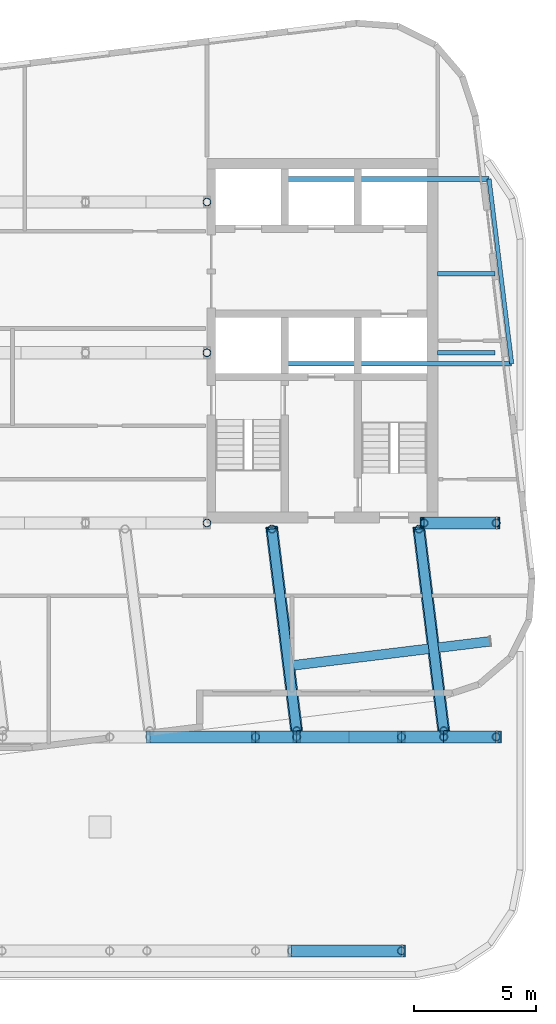
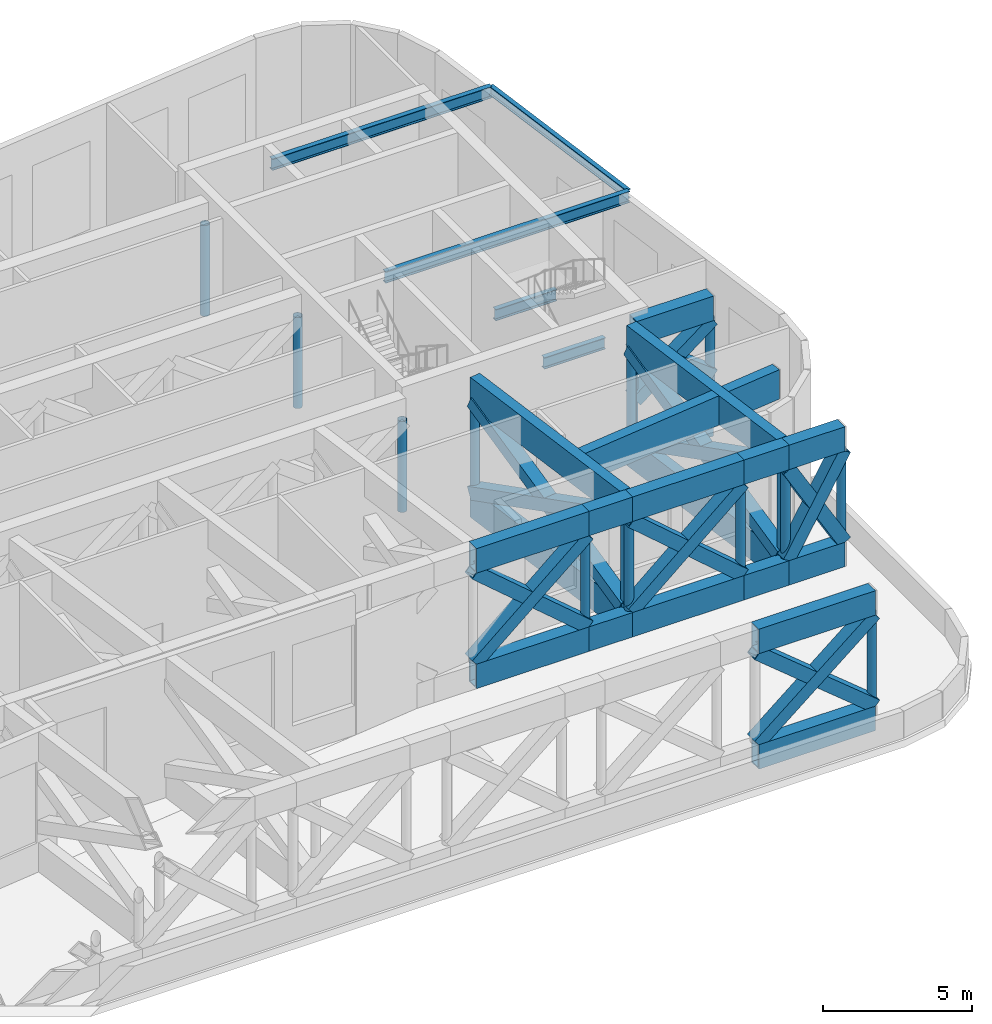
# One storey, part 4 of 16: 29 members, 24 beams.
"""IFC4 building model written with IfcOpenShell, lengths in metres."""

from ifc_helpers import new_model, si_unit, direction, frame, origin, origin_2d, place, context, subcontext, project, spatial, hollow_rectangle, hollow_circle, i_section, extrude, material, material_profile, profile_set, type_object, element, save


model = new_model("IFC4")

# Units and contexts
model_context = context("Model", 3, precision=1e-05, world=origin(), true_north=direction((0.0, 1.0)))
body_context = subcontext(model_context, "Body", "Model", "MODEL_VIEW")
ifc_project = project(units=[si_unit("LENGTHUNIT", "METRE"), si_unit("AREAUNIT", "SQUARE_METRE"), si_unit("VOLUMEUNIT", "CUBIC_METRE"), si_unit("PLANEANGLEUNIT", "RADIAN"), si_unit("MASSUNIT", "GRAM", prefix="KILO")], contexts=[model_context])

# Site, building, storey
site_placement = place(None, origin())
site = spatial("IfcSite", under=ifc_project, at=site_placement, CompositionType="ELEMENT")
building_placement = place(site_placement, origin())
building = spatial("IfcBuilding", under=site, at=building_placement, Name="Torana Hotel and Residences", CompositionType="ELEMENT")
storey_placement = place(building_placement, frame((0.0, 0.0, 308.60009765625)))
storey = spatial("IfcBuildingStorey", under=building, at=storey_placement, Name="L82", CompositionType="ELEMENT", Elevation=308.60009765625)

# Beams
ifc_material_1 = material(Name="Steel S355", Category="steel")
ifc_material_profile_1 = material_profile(ifc_material_1, i_section(OverallWidth=0.19287109375, OverallDepth=0.46728515625, WebThickness=0.011474609375, FlangeThickness=0.01953125, FilletRadius=0.01025390625, at=origin_2d()), Name="457x191x98 UB")
ifc_profile_set_1 = profile_set([ifc_material_profile_1], Name="Steel S355")
beam_type_1 = type_object("IfcBeamType", Name="BALCONY CANTILEVER BEAM 457x191x98 UB", PredefinedType="BEAM", material=ifc_profile_set_1)
for number, where, z_axis, x_axis, name in (
    (1, (19.489990234375, -8.0, -0.53369140625), (1.0, 0.0, 0.0), (0.0, 1.0, 0.0), "Balcony cantilever beam"),
    (2, (19.489990234375, -4.75, -0.53369140625), (1.0, 0.0, 0.0), (0.0, 1.0, 0.0), "Balcony cantilever beam"),
):
    element("IfcBeam", number, at=place(storey_placement, frame(where, z_axis=z_axis, x_axis=x_axis)), inside=storey, type_object=beam_type_1, Name=name, PredefinedType="BEAM", context=body_context, shape_type="SweptSolid", body=[
        extrude(i_section(OverallWidth=0.19287109375, OverallDepth=0.46728515625, WebThickness=0.011474609375, FlangeThickness=0.01953125, FilletRadius=0.01025390625, at=origin_2d()), origin(), (0.0, 0.0, 1.0), 2.364013671875),
    ])
beam_1_placement = place(storey_placement, frame((22.537353515625, -8.449951171875, 5.486328125), z_axis=(-1.0, 0.0, 0.0), x_axis=(0.0, -1.0, 0.0)))
element("IfcBeam", 3, at=beam_1_placement, inside=storey, type_object=beam_type_1, Name="Balcony cantilever beam", PredefinedType="BEAM", context=body_context, shape_type="SweptSolid", body=[
    extrude(i_section(OverallWidth=0.19287109375, OverallDepth=0.46728515625, WebThickness=0.011474609375, FlangeThickness=0.01953125, FilletRadius=0.01025390625, at=origin_2d()), origin(), (0.0, 0.0, 1.0), 9.437255859375),
])
beam_2_placement = place(storey_placement, frame((21.60400390625, -0.85009765625, 5.486328125), z_axis=(-1.0, 0.0, 0.0), x_axis=(0.0, -1.0, 0.0)))
element("IfcBeam", 4, at=beam_2_placement, inside=storey, type_object=beam_type_1, Name="Balcony cantilever beam", PredefinedType="BEAM", context=body_context, shape_type="SweptSolid", body=[
    extrude(i_section(OverallWidth=0.19287109375, OverallDepth=0.46728515625, WebThickness=0.011474609375, FlangeThickness=0.01953125, FilletRadius=0.01025390625, at=origin_2d()), origin(), (0.0, 0.0, 1.0), 8.50390625),
])
ifc_material_2 = material(Name="Steel S355", Category="steel")
ifc_material_profile_2 = material_profile(ifc_material_2, i_section(OverallWidth=0.173095703125, OverallDepth=0.36328125, WebThickness=0.009033203125, FlangeThickness=0.015625, FilletRadius=0.01025390625, at=origin_2d()), Name="356x171x67 UB")
ifc_profile_set_2 = profile_set([ifc_material_profile_2], Name="Steel S355")
beam_type_2 = type_object("IfcBeamType", Name="BALCONY TIP BEAM 356x171x67 UB", PredefinedType="BEAM", material=ifc_profile_set_2)
beam_3_placement = place(storey_placement, frame((22.537353515625, -8.449951171875, 5.5380859375), z_axis=(-0.1218957101, 0.992542913863, 0.0), x_axis=(-0.992542913863, -0.1218957101, 0.0)))
element("IfcBeam", 5, at=beam_3_placement, inside=storey, type_object=beam_type_2, Name="Balcony tip beam", PredefinedType="BEAM", context=body_context, shape_type="SweptSolid", body=[
    extrude(i_section(OverallWidth=0.173095703125, OverallDepth=0.36328125, WebThickness=0.009033203125, FlangeThickness=0.015625, FilletRadius=0.01025390625, at=origin_2d()), origin(), (0.0, 0.0, 1.0), 7.656982421875),
])
ifc_material_3 = material(Name="Steel S355", Category="steel")
ifc_material_profile_3 = material_profile(ifc_material_3, hollow_rectangle(XDim=0.5, YDim=1.0, WallThickness=0.050048828125, at=origin_2d()), Name="BOX 1000x500x50")
ifc_profile_set_3 = profile_set([ifc_material_profile_3], Name="Steel S355")
beam_type_3 = type_object("IfcBeamType", Name="STEEL CHORD BOX 1000x500x50", PredefinedType="BEAM", material=ifc_profile_set_3)
for number, where, z_axis, x_axis, name in (
    (6, (13.48291015625, -32.60009765625, 0.5), (1.0, 0.0, 0.0), (0.0, 1.0, 0.0), "Transfer chord L82"),
    (7, (13.48291015625, -32.60009765625, 5.219970703125), (1.0, 0.0, 0.0), (0.0, 1.0, 0.0), "Transfer chord L82"),
):
    element("IfcBeam", number, at=place(storey_placement, frame(where, z_axis=z_axis, x_axis=x_axis)), inside=storey, type_object=beam_type_3, Name=name, PredefinedType="BEAM", context=body_context, shape_type="SweptSolid", body=[
        extrude(hollow_rectangle(XDim=0.5, YDim=1.0, WallThickness=0.050048828125, at=origin_2d()), origin(), (0.0, 0.0, 1.0), 4.51708984375),
    ])
for number, where, z_axis, x_axis, name in (
    (8, (7.64892578125, -23.800048828125, 0.5), (1.0, 0.0, 0.0), (0.0, 1.0, 0.0), "Transfer chord L82"),
    (9, (7.64892578125, -23.800048828125, 5.219970703125), (1.0, 0.0, 0.0), (0.0, 1.0, 0.0), "Transfer chord L82"),
):
    element("IfcBeam", number, at=place(storey_placement, frame(where, z_axis=z_axis, x_axis=x_axis)), inside=storey, type_object=beam_type_3, Name=name, PredefinedType="BEAM", context=body_context, shape_type="SweptSolid", body=[
        extrude(hollow_rectangle(XDim=0.5, YDim=1.0, WallThickness=0.050048828125, at=origin_2d()), origin(), (0.0, 0.0, 1.0), 4.35107421875),
    ])
for number, where, z_axis, x_axis, name in (
    (10, (12.0, -23.800048828125, 0.5), (1.0, 0.0, 0.0), (0.0, 1.0, 0.0), "Transfer chord L82"),
    (11, (12.0, -23.800048828125, 5.219970703125), (1.0, 0.0, 0.0), (0.0, 1.0, 0.0), "Transfer chord L82"),
):
    element("IfcBeam", number, at=place(storey_placement, frame(where, z_axis=z_axis, x_axis=x_axis)), inside=storey, type_object=beam_type_3, Name=name, PredefinedType="BEAM", context=body_context, shape_type="SweptSolid", body=[
        extrude(hollow_rectangle(XDim=0.5, YDim=1.0, WallThickness=0.050048828125, at=origin_2d()), origin(), (0.0, 0.0, 1.0), 1.68896484375),
    ])
for number, where, z_axis, x_axis, name in (
    (12, (13.68896484375, -23.800048828125, 0.5), (1.0, 0.0, 0.0), (0.0, 1.0, 0.0), "Transfer chord L82"),
    (13, (13.68896484375, -23.800048828125, 5.219970703125), (1.0, 0.0, 0.0), (0.0, 1.0, 0.0), "Transfer chord L82"),
):
    element("IfcBeam", number, at=place(storey_placement, frame(where, z_axis=z_axis, x_axis=x_axis)), inside=storey, type_object=beam_type_3, Name=name, PredefinedType="BEAM", context=body_context, shape_type="SweptSolid", body=[
        extrude(hollow_rectangle(XDim=0.5, YDim=1.0, WallThickness=0.050048828125, at=origin_2d()), origin(), (0.0, 0.0, 1.0), 4.31103515625),
    ])
for number, where, z_axis, x_axis, name in (
    (14, (18.0, -23.800048828125, 0.5), (1.0, 0.0, 0.0), (0.0, 1.0, 0.0), "Transfer chord L82"),
    (15, (18.0, -23.800048828125, 5.219970703125), (1.0, 0.0, 0.0), (0.0, 1.0, 0.0), "Transfer chord L82"),
):
    element("IfcBeam", number, at=place(storey_placement, frame(where, z_axis=z_axis, x_axis=x_axis)), inside=storey, type_object=beam_type_3, Name=name, PredefinedType="BEAM", context=body_context, shape_type="SweptSolid", body=[
        extrude(hollow_rectangle(XDim=0.5, YDim=1.0, WallThickness=0.050048828125, at=origin_2d()), origin(), (0.0, 0.0, 1.0), 1.739013671875),
    ])
for number, where, z_axis, x_axis, name in (
    (16, (19.739013671875, -23.800048828125, 0.5), (1.0, 0.0, 0.0), (0.0, 1.0, 0.0), "Transfer chord L82"),
    (17, (19.739013671875, -23.800048828125, 5.219970703125), (1.0, 0.0, 0.0), (0.0, 1.0, 0.0), "Transfer chord L82"),
):
    element("IfcBeam", number, at=place(storey_placement, frame(where, z_axis=z_axis, x_axis=x_axis)), inside=storey, type_object=beam_type_3, Name=name, PredefinedType="BEAM", context=body_context, shape_type="SweptSolid", body=[
        extrude(hollow_rectangle(XDim=0.5, YDim=1.0, WallThickness=0.050048828125, at=origin_2d()), origin(), (0.0, 0.0, 1.0), 2.160888671875),
    ])
for number, where, z_axis, x_axis, name in (
    (18, (18.926025390625, -15.0, 0.5), (1.0, 0.0, 0.0), (0.0, 1.0, 0.0), "Transfer chord L82"),
    (19, (18.926025390625, -15.0, 5.219970703125), (1.0, 0.0, 0.0), (0.0, 1.0, 0.0), "Transfer chord L82"),
):
    element("IfcBeam", number, at=place(storey_placement, frame(where, z_axis=z_axis, x_axis=x_axis)), inside=storey, type_object=beam_type_3, Name=name, PredefinedType="BEAM", context=body_context, shape_type="SweptSolid", body=[
        extrude(hollow_rectangle(XDim=0.5, YDim=1.0, WallThickness=0.050048828125, at=origin_2d()), origin(), (0.0, 0.0, 1.0), 2.973876953125),
    ])
ifc_material_4 = material(Name="Steel S355", Category="steel")
ifc_material_profile_4 = material_profile(ifc_material_4, hollow_rectangle(XDim=0.39990234375, YDim=1.199951171875, WallThickness=0.0400390625, at=origin_2d()), Name="BOX 1200x400x40")
ifc_profile_set_4 = profile_set([ifc_material_profile_4], Name="Steel S355")
beam_type_4 = type_object("IfcBeamType", Name="STEEL CHORD BOX 1200x400x40", PredefinedType="BEAM", material=ifc_profile_set_4)
for number, where, z_axis, x_axis, name in (
    (20, (13.68896484375, -23.550048828125, 0.599853515625), (-0.121745472917, 0.992561353179, 0.0), (-0.992561353179, -0.121745472917, 0.0), "Transfer chord L82"),
    (21, (13.68896484375, -23.550048828125, 5.119873046875), (-0.121745472917, 0.992561353179, 0.0), (-0.992561353179, -0.121745472917, 0.0), "Transfer chord L82"),
    (22, (19.739013671875, -23.550048828125, 0.599853515625), (-0.121745472917, 0.992561353179, 0.0), (-0.992561353179, -0.121745472917, 0.0), "Transfer chord L82"),
    (23, (19.739013671875, -23.550048828125, 5.119873046875), (-0.121745472917, 0.992561353179, 0.0), (-0.992561353179, -0.121745472917, 0.0), "Transfer chord L82"),
):
    element("IfcBeam", number, at=place(storey_placement, frame(where, z_axis=z_axis, x_axis=x_axis)), inside=storey, type_object=beam_type_4, Name=name, PredefinedType="BEAM", context=body_context, shape_type="SweptSolid", body=[
        extrude(hollow_rectangle(XDim=0.39990234375, YDim=1.199951171875, WallThickness=0.0400390625, at=origin_2d()), origin(), (0.0, 0.0, 1.0), 8.3623046875),
    ])
beam_4_placement = place(storey_placement, frame((21.639892578125, -19.8701171875, 5.119873046875), z_axis=(-0.992645362838, -0.121058595881, 0.0), x_axis=(0.121058595881, -0.992645362838, 0.0)))
element("IfcBeam", 24, at=beam_4_placement, inside=storey, type_object=beam_type_4, Name="Transfer link L82", PredefinedType="BEAM", context=body_context, shape_type="SweptSolid", body=[
    extrude(hollow_rectangle(XDim=0.39990234375, YDim=1.199951171875, WallThickness=0.0400390625, at=origin_2d()), origin(), (0.0, 0.0, 1.0), 8.341064453125),
])

# Members
ifc_material_5 = material(Name="Steel S355", Category="steel")
ifc_material_profile_5 = material_profile(ifc_material_5, hollow_rectangle(XDim=0.5, YDim=0.5, WallThickness=0.0400390625, at=origin_2d()), Name="BOX 500x500x40")
ifc_profile_set_5 = profile_set([ifc_material_profile_5], Name="Steel S355")
member_type_1 = type_object("IfcMemberType", Name="STEEL DIAGONAL BOX 500x500x40", PredefinedType="BRACE", material=ifc_profile_set_5)
for number, where, z_axis, x_axis, name in (
    (25, (13.48291015625, -32.60009765625, 1.0), (0.771929031287, 0.0, 0.635708715259), (0.0, 1.0, 0.0), "Truss diagonal L82"),
    (26, (18.0, -32.60009765625, 1.0), (-0.771929031287, 0.0, 0.635708715259), (0.0, -1.0, 0.0), "Truss diagonal L82"),
):
    element("IfcMember", number, at=place(storey_placement, frame(where, z_axis=z_axis, x_axis=x_axis)), inside=storey, type_object=member_type_1, Name=name, PredefinedType="BRACE", context=body_context, shape_type="SweptSolid", body=[
        extrude(hollow_rectangle(XDim=0.5, YDim=0.5, WallThickness=0.0400390625, at=origin_2d()), origin(), (0.0, 0.0, 1.0), 5.851806640625),
    ])
for number, where, z_axis, x_axis, name in (
    (27, (7.64892578125, -23.800048828125, 1.0), (0.760077854597, 0.0, 0.649832020564), (0.0, 1.0, 0.0), "Truss diagonal L82"),
    (28, (12.0, -23.800048828125, 1.0), (-0.760077854597, 0.0, 0.649832020564), (0.0, -1.0, 0.0), "Truss diagonal L82"),
):
    element("IfcMember", number, at=place(storey_placement, frame(where, z_axis=z_axis, x_axis=x_axis)), inside=storey, type_object=member_type_1, Name=name, PredefinedType="BRACE", context=body_context, shape_type="SweptSolid", body=[
        extrude(hollow_rectangle(XDim=0.5, YDim=0.5, WallThickness=0.0400390625, at=origin_2d()), origin(), (0.0, 0.0, 1.0), 5.724609375),
    ])
for number, where, z_axis, x_axis, name in (
    (29, (13.68896484375, -23.800048828125, 1.0), (0.757100591899, 0.0, 0.653298319106), (0.0, 1.0, 0.0), "Truss diagonal L82"),
    (30, (18.0, -23.800048828125, 1.0), (-0.757100591899, 0.0, 0.653298319106), (0.0, -1.0, 0.0), "Truss diagonal L82"),
):
    element("IfcMember", number, at=place(storey_placement, frame(where, z_axis=z_axis, x_axis=x_axis)), inside=storey, type_object=member_type_1, Name=name, PredefinedType="BRACE", context=body_context, shape_type="SweptSolid", body=[
        extrude(hollow_rectangle(XDim=0.5, YDim=0.5, WallThickness=0.0400390625, at=origin_2d()), origin(), (0.0, 0.0, 1.0), 5.694091796875),
    ])
for number, where, z_axis, x_axis, name in (
    (31, (19.739013671875, -23.800048828125, 1.0), (0.502292951265, 0.0, 0.864697514227), (0.0, 1.0, 0.0), "Truss diagonal L82"),
    (32, (21.89990234375, -23.800048828125, 1.0), (-0.502292951265, 0.0, 0.864697514227), (0.0, -1.0, 0.0), "Truss diagonal L82"),
):
    element("IfcMember", number, at=place(storey_placement, frame(where, z_axis=z_axis, x_axis=x_axis)), inside=storey, type_object=member_type_1, Name=name, PredefinedType="BRACE", context=body_context, shape_type="SweptSolid", body=[
        extrude(hollow_rectangle(XDim=0.5, YDim=0.5, WallThickness=0.0400390625, at=origin_2d()), origin(), (0.0, 0.0, 1.0), 4.302001953125),
    ])
for number, where, z_axis, x_axis, name in (
    (33, (18.926025390625, -15.0, 2.449951171875), (0.794889126853, 0.0, 0.606754708273), (0.0, 1.0, 0.0), "Truss diagonal L82"),
    (34, (21.89990234375, -15.0, 2.449951171875), (-0.794889126853, 0.0, 0.606754708273), (0.0, -1.0, 0.0), "Truss diagonal L82"),
):
    element("IfcMember", number, at=place(storey_placement, frame(where, z_axis=z_axis, x_axis=x_axis)), inside=storey, type_object=member_type_1, Name=name, PredefinedType="BRACE", context=body_context, shape_type="SweptSolid", body=[
        extrude(hollow_rectangle(XDim=0.5, YDim=0.5, WallThickness=0.0400390625, at=origin_2d()), origin(), (0.0, 0.0, 1.0), 3.7412109375),
    ])
for number, where, z_axis, x_axis, name in (
    (35, (13.68896484375, -23.550048828125, 1.0), (-0.111235558427, 0.906876565908, 0.406449928957), (-0.992561353179, -0.121745472917, 0.0), "Truss diagonal L82"),
    (36, (12.6708984375, -15.25, 1.0), (0.111235558427, -0.906876565908, 0.406449928957), (0.992561353179, 0.121745472917, 0.0), "Truss diagonal L82"),
    (37, (19.739013671875, -23.550048828125, 1.0), (-0.111235558427, 0.906876565908, 0.406449928957), (-0.992561353179, -0.121745472917, 0.0), "Truss diagonal L82"),
    (38, (18.720947265625, -15.25, 1.0), (0.111235558427, -0.906876565908, 0.406449928957), (0.992561353179, 0.121745472917, 0.0), "Truss diagonal L82"),
):
    element("IfcMember", number, at=place(storey_placement, frame(where, z_axis=z_axis, x_axis=x_axis)), inside=storey, type_object=member_type_1, Name=name, PredefinedType="BRACE", context=body_context, shape_type="SweptSolid", body=[
        extrude(hollow_rectangle(XDim=0.5, YDim=0.5, WallThickness=0.0400390625, at=origin_2d()), origin(), (0.0, 0.0, 1.0), 9.15234375),
    ])
ifc_material_6 = material(Name="Steel S355", Category="steel")
ifc_material_profile_6 = material_profile(ifc_material_6, hollow_circle(Radius=0.161865234375, WallThickness=0.012451171875, at=origin_2d()), Name="323.9x12.5 CHS")
ifc_profile_set_6 = profile_set([ifc_material_profile_6], Name="Steel S355")
member_type_2 = type_object("IfcMemberType", Name="STEEL POST 323.9x12.5 CHS", PredefinedType="POST", material=ifc_profile_set_6)
for number, where, z_axis, x_axis, name in (
    (39, (18.0, -32.60009765625, 1.0), (0.0, 0.0, 1.0), (1.0, 0.0, 0.0), "Truss post L82"),
    (40, (12.0, -23.800048828125, 1.0), (0.0, 0.0, 1.0), (1.0, 0.0, 0.0), "Truss post L82"),
    (41, (13.68994140625, -23.800048828125, 1.0), (0.0, 0.0, 1.0), (1.0, 0.0, 0.0), "Truss post L82"),
    (42, (18.0, -23.800048828125, 1.0), (0.0, 0.0, 1.0), (1.0, 0.0, 0.0), "Truss post L82"),
    (43, (19.739990234375, -23.800048828125, 1.0), (0.0, 0.0, 1.0), (1.0, 0.0, 0.0), "Truss post L82"),
    (44, (21.89990234375, -23.800048828125, 1.0), (0.0, 0.0, 1.0), (1.0, 0.0, 0.0), "Truss post L82"),
    (45, (18.929931640625, -15.0, 1.0), (0.0, 0.0, 1.0), (1.0, 0.0, 0.0), "Truss post L82"),
    (46, (21.89990234375, -15.0, 1.0), (0.0, 0.0, 1.0), (1.0, 0.0, 0.0), "Truss post L82"),
    (47, (13.68994140625, -23.550048828125, 1.0), (0.0, 0.0, 1.0), (1.0, 0.0, 0.0), "Truss post L82"),
    (48, (12.669921875, -15.25, 1.0), (0.0, 0.0, 1.0), (1.0, 0.0, 0.0), "Truss post L82"),
    (49, (19.739990234375, -23.550048828125, 1.0), (0.0, 0.0, 1.0), (1.0, 0.0, 0.0), "Truss post L82"),
    (50, (18.719970703125, -15.25, 1.0), (0.0, 0.0, 1.0), (1.0, 0.0, 0.0), "Truss post L82"),
    (51, (10.0, -15.0, 1.0), (0.0, 0.0, 1.0), (1.0, 0.0, 0.0), "Truss post L82"),
    (52, (10.0, -8.0, 1.0), (0.0, 0.0, 1.0), (1.0, 0.0, 0.0), "Truss post L82"),
    (53, (10.0, -1.800048828125, 1.0), (0.0, 0.0, 1.0), (1.0, 0.0, 0.0), "Truss post L82"),
):
    element("IfcMember", number, at=place(storey_placement, frame(where, z_axis=z_axis, x_axis=x_axis)), inside=storey, type_object=member_type_2, Name=name, PredefinedType="POST", context=body_context, shape_type="SweptSolid", body=[
        extrude(hollow_circle(Radius=0.161865234375, WallThickness=0.012451171875, at=origin_2d()), origin(), (0.0, 0.0, 1.0), 3.719970703125),
    ])

save(model, "model.ifc")
